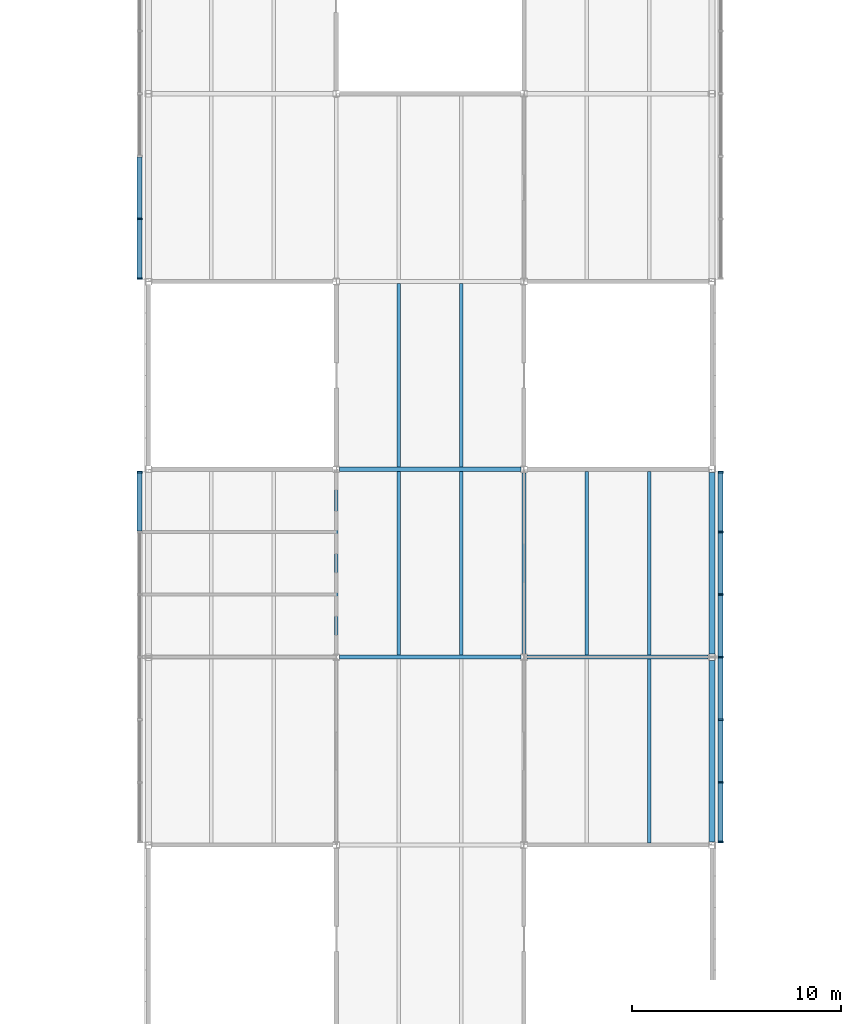
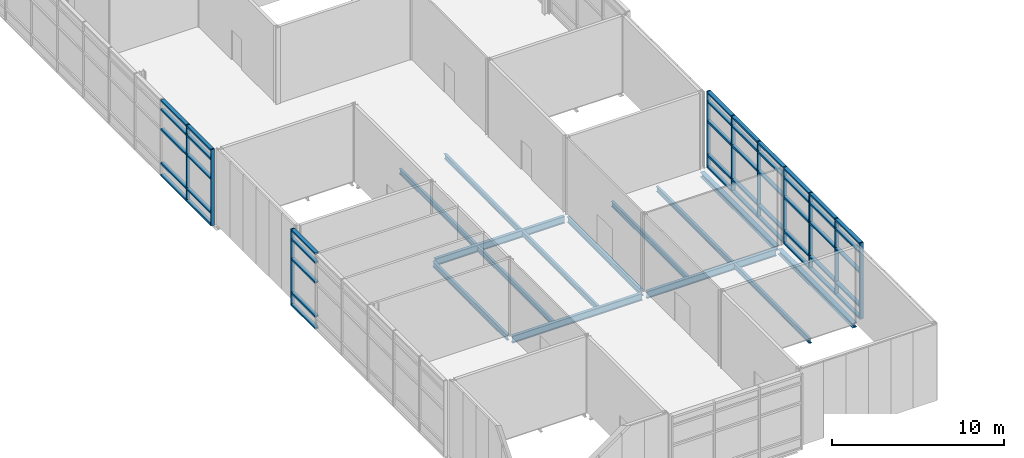
# One storey, part 10 of 46: 55 members, 14 beams, 3 elements without a shape of their own.
"""IFC4 building model written with IfcOpenShell, lengths in metres."""

from ifc_helpers import new_model, si_unit, direction, frame, origin, origin_2d, place, context, subcontext, project, spatial, rectangle, i_section, extrude, material, material_profile, profile_set, type_object, element, aggregate, save


model = new_model("IFC4")

# Units and contexts
model_context = context("Model", 3, precision=1e-05, world=origin(), true_north=direction((0.0, 1.0)))
body_context = subcontext(model_context, "Body", "Model", "MODEL_VIEW")
ifc_project = project(units=[si_unit("LENGTHUNIT", "METRE"), si_unit("AREAUNIT", "SQUARE_METRE"), si_unit("VOLUMEUNIT", "CUBIC_METRE"), si_unit("PLANEANGLEUNIT", "RADIAN"), si_unit("MASSUNIT", "GRAM", prefix="KILO")], contexts=[model_context])

# Site, building, storey
site_placement = place(None, origin())
site = spatial("IfcSite", under=ifc_project, at=site_placement, CompositionType="ELEMENT")
building_placement = place(site_placement, origin())
building = spatial("IfcBuilding", under=site, at=building_placement, Name="Azimuth Sports and Learning Centre", CompositionType="ELEMENT")
storey_placement = place(building_placement, frame((0.0, 0.0, 21.60009765625)))
storey = spatial("IfcBuildingStorey", under=building, at=storey_placement, Name="L04", CompositionType="ELEMENT", Elevation=21.60009765625)

# Beams
ifc_material_1 = material(Name="Steel S355", Category="steel")
ifc_material_profile_1 = material_profile(ifc_material_1, i_section(OverallWidth=0.179931640625, OverallDepth=0.39990234375, WebThickness=0.008544921875, FlangeThickness=0.013427734375, FilletRadius=0.02099609375, at=origin_2d()), Name="IPE 400")
ifc_profile_set_1 = profile_set([ifc_material_profile_1], Name="Steel S355")
beam_type_1 = type_object("IfcBeamType", Name="Beam IPE 400", PredefinedType="BEAM", material=ifc_profile_set_1)
for number, where, z_axis, x_axis, name in (
    (1, (81.0, 18.179931640625, -0.35009765625), (0.0, 1.0, 0.0), (-1.0, 0.0, 0.0), "Beam L04 ST 30"),
    (2, (90.0, 18.179931640625, -0.35009765625), (0.0, 1.0, 0.0), (-1.0, 0.0, 0.0), "Beam L04 ST 36"),
):
    element("IfcBeam", number, at=place(storey_placement, frame(where, z_axis=z_axis, x_axis=x_axis)), inside=storey, type_object=beam_type_1, Name=name, PredefinedType="BEAM", context=body_context, shape_type="SweptSolid", body=[
        extrude(i_section(OverallWidth=0.179931640625, OverallDepth=0.39990234375, WebThickness=0.008544921875, FlangeThickness=0.013427734375, FilletRadius=0.02099609375, at=origin_2d()), origin(), (0.0, 0.0, 1.0), 8.64013671875),
    ])
ifc_material_2 = material(Name="Steel S355", Category="steel")
ifc_material_profile_2 = material_profile(ifc_material_2, i_section(OverallWidth=0.199951171875, OverallDepth=0.5, WebThickness=0.01025390625, FlangeThickness=0.01611328125, FilletRadius=0.02099609375, at=origin_2d()), Name="IPE 500")
ifc_profile_set_2 = profile_set([ifc_material_profile_2], Name="Steel S355")
beam_type_2 = type_object("IfcBeamType", Name="Beam IPE 500", PredefinedType="BEAM", material=ifc_profile_set_2)
beam_1_placement = place(storey_placement, frame((81.14990234375, 18.0, -0.400146484375), z_axis=(1.0, 0.0, 0.0), x_axis=(0.0, 1.0, 0.0)))
element("IfcBeam", 3, at=beam_1_placement, inside=storey, type_object=beam_type_2, Name="Beam L04 ST 4", PredefinedType="BEAM", context=body_context, shape_type="SweptSolid", body=[
    extrude(i_section(OverallWidth=0.199951171875, OverallDepth=0.5, WebThickness=0.01025390625, FlangeThickness=0.01611328125, FilletRadius=0.02099609375, at=origin_2d()), origin(), (0.0, 0.0, 1.0), 8.7001953125),
])
beam_2_placement = place(storey_placement, frame((90.14990234375, 18.0, -0.400146484375), z_axis=(1.0, 0.0, 0.0), x_axis=(0.0, 1.0, 0.0)))
element("IfcBeam", 4, at=beam_2_placement, inside=storey, type_object=beam_type_2, Name="Beam L04 ST 5", PredefinedType="BEAM", context=body_context, shape_type="SweptSolid", body=[
    extrude(i_section(OverallWidth=0.199951171875, OverallDepth=0.5, WebThickness=0.01025390625, FlangeThickness=0.01611328125, FilletRadius=0.02099609375, at=origin_2d()), origin(), (0.0, 0.0, 1.0), 8.670166015625),
])
beam_3_placement = place(storey_placement, frame((81.14990234375, 27.0, -0.400146484375), z_axis=(1.0, 0.0, 0.0), x_axis=(0.0, 1.0, 0.0)))
element("IfcBeam", 5, at=beam_3_placement, inside=storey, type_object=beam_type_2, Name="Beam L04 ST 6", PredefinedType="BEAM", context=body_context, shape_type="SweptSolid", body=[
    extrude(i_section(OverallWidth=0.199951171875, OverallDepth=0.5, WebThickness=0.01025390625, FlangeThickness=0.01611328125, FilletRadius=0.02099609375, at=origin_2d()), origin(), (0.0, 0.0, 1.0), 8.7001953125),
])
ifc_material_3 = material(Name="Steel S355", Category="steel")
ifc_material_profile_3 = material_profile(ifc_material_3, i_section(OverallWidth=0.300048828125, OverallDepth=0.330078125, WebThickness=0.009521484375, FlangeThickness=0.0166015625, FilletRadius=0.027099609375, at=origin_2d()), Name="HEA 340")
ifc_profile_set_3 = profile_set([ifc_material_profile_3], Name="Steel S355")
beam_type_3 = type_object("IfcBeamType", Name="Edge beam HEA 340", PredefinedType="SPANDREL", material=ifc_profile_set_3)
for number, where, z_axis, x_axis, name in (
    (6, (99.0, 9.14990234375, -0.315185546875), (0.0, 1.0, 0.0), (-1.0, 0.0, 0.0), "Edge beam L04 ST 41"),
    (7, (99.0, 18.14990234375, -0.315185546875), (0.0, 1.0, 0.0), (-1.0, 0.0, 0.0), "Edge beam L04 ST 42"),
):
    element("IfcBeam", number, at=place(storey_placement, frame(where, z_axis=z_axis, x_axis=x_axis)), inside=storey, type_object=beam_type_3, Name=name, PredefinedType="SPANDREL", context=body_context, shape_type="SweptSolid", body=[
        extrude(i_section(OverallWidth=0.300048828125, OverallDepth=0.330078125, WebThickness=0.009521484375, FlangeThickness=0.0166015625, FilletRadius=0.027099609375, at=origin_2d()), origin(), (0.0, 0.0, 1.0), 8.7001953125),
    ])
ifc_material_4 = material(Name="Steel S355", Category="steel")
ifc_material_profile_4 = material_profile(ifc_material_4, i_section(OverallWidth=0.169921875, OverallDepth=0.360107421875, WebThickness=0.008056640625, FlangeThickness=0.0126953125, FilletRadius=0.01806640625, at=origin_2d()), Name="IPE 360")
ifc_profile_set_4 = profile_set([ifc_material_profile_4], Name="Steel S355")
beam_type_4 = type_object("IfcBeamType", Name="Joist IPE 360", PredefinedType="JOIST", material=ifc_profile_set_4)
for number, where, z_axis, x_axis, name in (
    (8, (84.0, 18.10009765625, -0.330078125), (0.0, 1.0, 0.0), (-1.0, 0.0, 0.0), "Joist L04 ST 66"),
    (9, (84.0, 27.10009765625, -0.330078125), (0.0, 1.0, 0.0), (-1.0, 0.0, 0.0), "Joist L04 ST 67"),
    (10, (87.0, 18.10009765625, -0.330078125), (0.0, 1.0, 0.0), (-1.0, 0.0, 0.0), "Joist L04 ST 72"),
    (11, (87.0, 27.10009765625, -0.330078125), (0.0, 1.0, 0.0), (-1.0, 0.0, 0.0), "Joist L04 ST 73"),
    (12, (93.0, 18.10009765625, -0.330078125), (0.0, 1.0, 0.0), (-1.0, 0.0, 0.0), "Joist L04 ST 77"),
    (13, (96.0, 9.10009765625, -0.330078125), (0.0, 1.0, 0.0), (-1.0, 0.0, 0.0), "Joist L04 ST 84"),
    (14, (96.0, 18.10009765625, -0.330078125), (0.0, 1.0, 0.0), (-1.0, 0.0, 0.0), "Joist L04 ST 85"),
):
    element("IfcBeam", number, at=place(storey_placement, frame(where, z_axis=z_axis, x_axis=x_axis)), inside=storey, type_object=beam_type_4, Name=name, PredefinedType="JOIST", context=body_context, shape_type="SweptSolid", body=[
        extrude(i_section(OverallWidth=0.169921875, OverallDepth=0.360107421875, WebThickness=0.008056640625, FlangeThickness=0.0126953125, FilletRadius=0.01806640625, at=origin_2d()), origin(), (0.0, 0.0, 1.0), 8.7998046875),
    ])

# Curtain wall, members
ifc_material_5 = material(Name="Aluminium and glass", Category="aluminium")
curtain_wall_type = type_object("IfcCurtainWallType", Name="Curtain wall podium stem 240", PredefinedType="NOTDEFINED", material=ifc_material_5)
curtain_wall_1_placement = place(storey_placement, origin())
curtain_wall_1 = element("IfcCurtainWall", 15, at=curtain_wall_1_placement, inside=storey, type_object=curtain_wall_type, Name="Curtain wall CW04-003", PredefinedType="NOTDEFINED")
ifc_material_6 = material(Name="Aluminium", Category="aluminium")
ifc_material_profile_5 = material_profile(ifc_material_6, rectangle(XDim=0.239990234375, YDim=0.080078125, at=origin_2d()), Name="Mullion 80x240")
ifc_profile_set_5 = profile_set([ifc_material_profile_5], Name="Aluminium")
member_type_1 = type_object("IfcMemberType", Name="Mullion 80x240", PredefinedType="MULLION", material=ifc_profile_set_5)
member_1_placement = place(storey_placement, frame((71.580078125, 39.0, 0.0), z_axis=(0.0, 0.0, 1.0), x_axis=(1.0, 0.0, 0.0)))
member_1 = element("IfcMember", 16, at=member_1_placement, type_object=member_type_1, Name="CW04-003 mullion 18", PredefinedType="MULLION", context=body_context, shape_type="SweptSolid", body=[
    extrude(rectangle(XDim=0.239990234375, YDim=0.080078125, at=origin_2d()), origin(), (0.0, 0.0, 1.0), 5.39990234375),
])
member_2_placement = place(storey_placement, frame((71.580078125, 36.139892578125, 0.0), z_axis=(0.0, 0.0, 1.0), x_axis=(1.0, 0.0, 0.0)))
member_2 = element("IfcMember", 17, at=member_2_placement, type_object=member_type_1, Name="CW04-003 mullion 19", PredefinedType="MULLION", context=body_context, shape_type="SweptSolid", body=[
    extrude(rectangle(XDim=0.239990234375, YDim=0.080078125, at=origin_2d()), origin(), (0.0, 0.0, 1.0), 5.39990234375),
])

# Curtain wall, member
curtain_wall_2_placement = place(storey_placement, origin())
curtain_wall_2 = element("IfcCurtainWall", 18, at=curtain_wall_2_placement, inside=storey, type_object=curtain_wall_type, Name="Curtain wall CW04-004", PredefinedType="NOTDEFINED")
member_3_placement = place(storey_placement, frame((71.580078125, 26.860107421875, 0.0), z_axis=(0.0, 0.0, 1.0), x_axis=(1.0, 0.0, 0.0)))
member_3 = element("IfcMember", 19, at=member_3_placement, type_object=member_type_1, Name="CW04-004 mullion 1", PredefinedType="MULLION", context=body_context, shape_type="SweptSolid", body=[
    extrude(rectangle(XDim=0.239990234375, YDim=0.080078125, at=origin_2d()), origin(), (0.0, 0.0, 1.0), 5.39990234375),
])

# Curtain wall, members
curtain_wall_3_placement = place(storey_placement, origin())
curtain_wall_3 = element("IfcCurtainWall", 20, at=curtain_wall_3_placement, inside=storey, type_object=curtain_wall_type, Name="Curtain wall CW04-006", PredefinedType="NOTDEFINED")
member_4_placement = place(storey_placement, frame((99.419921875, 9.139892578125, 0.0), z_axis=(0.0, 0.0, 1.0), x_axis=(-1.0, 0.0, 0.0)))
member_4 = element("IfcMember", 21, at=member_4_placement, type_object=member_type_1, Name="CW04-006 mullion 1", PredefinedType="MULLION", context=body_context, shape_type="SweptSolid", body=[
    extrude(rectangle(XDim=0.239990234375, YDim=0.080078125, at=origin_2d()), origin(), (0.0, 0.0, 1.0), 5.39990234375),
])
member_5_placement = place(storey_placement, frame((99.419921875, 12.0, 0.0), z_axis=(0.0, 0.0, 1.0), x_axis=(-1.0, 0.0, 0.0)))
member_5 = element("IfcMember", 22, at=member_5_placement, type_object=member_type_1, Name="CW04-006 mullion 2", PredefinedType="MULLION", context=body_context, shape_type="SweptSolid", body=[
    extrude(rectangle(XDim=0.239990234375, YDim=0.080078125, at=origin_2d()), origin(), (0.0, 0.0, 1.0), 5.39990234375),
])
member_6_placement = place(storey_placement, frame((99.419921875, 15.0, 0.0), z_axis=(0.0, 0.0, 1.0), x_axis=(-1.0, 0.0, 0.0)))
member_6 = element("IfcMember", 23, at=member_6_placement, type_object=member_type_1, Name="CW04-006 mullion 3", PredefinedType="MULLION", context=body_context, shape_type="SweptSolid", body=[
    extrude(rectangle(XDim=0.239990234375, YDim=0.080078125, at=origin_2d()), origin(), (0.0, 0.0, 1.0), 5.39990234375),
])
member_7_placement = place(storey_placement, frame((99.419921875, 18.0, 0.0), z_axis=(0.0, 0.0, 1.0), x_axis=(-1.0, 0.0, 0.0)))
member_7 = element("IfcMember", 24, at=member_7_placement, type_object=member_type_1, Name="CW04-006 mullion 4", PredefinedType="MULLION", context=body_context, shape_type="SweptSolid", body=[
    extrude(rectangle(XDim=0.239990234375, YDim=0.080078125, at=origin_2d()), origin(), (0.0, 0.0, 1.0), 5.39990234375),
])
member_8_placement = place(storey_placement, frame((99.419921875, 21.0, 0.0), z_axis=(0.0, 0.0, 1.0), x_axis=(-1.0, 0.0, 0.0)))
member_8 = element("IfcMember", 25, at=member_8_placement, type_object=member_type_1, Name="CW04-006 mullion 5", PredefinedType="MULLION", context=body_context, shape_type="SweptSolid", body=[
    extrude(rectangle(XDim=0.239990234375, YDim=0.080078125, at=origin_2d()), origin(), (0.0, 0.0, 1.0), 5.39990234375),
])
member_9_placement = place(storey_placement, frame((99.419921875, 24.0, 0.0), z_axis=(0.0, 0.0, 1.0), x_axis=(-1.0, 0.0, 0.0)))
member_9 = element("IfcMember", 26, at=member_9_placement, type_object=member_type_1, Name="CW04-006 mullion 6", PredefinedType="MULLION", context=body_context, shape_type="SweptSolid", body=[
    extrude(rectangle(XDim=0.239990234375, YDim=0.080078125, at=origin_2d()), origin(), (0.0, 0.0, 1.0), 5.39990234375),
])
member_10_placement = place(storey_placement, frame((99.419921875, 26.860107421875, 0.0), z_axis=(0.0, 0.0, 1.0), x_axis=(-1.0, 0.0, 0.0)))
member_10 = element("IfcMember", 27, at=member_10_placement, type_object=member_type_1, Name="CW04-006 mullion 7", PredefinedType="MULLION", context=body_context, shape_type="SweptSolid", body=[
    extrude(rectangle(XDim=0.239990234375, YDim=0.080078125, at=origin_2d()), origin(), (0.0, 0.0, 1.0), 5.39990234375),
])

# Member
ifc_material_7 = material(Name="Aluminium", Category="aluminium")
ifc_material_profile_6 = material_profile(ifc_material_7, rectangle(XDim=0.239990234375, YDim=0.1201171875, at=origin_2d()), Name="Transom 120x240")
ifc_profile_set_6 = profile_set([ifc_material_profile_6], Name="Aluminium")
member_type_2 = type_object("IfcMemberType", Name="Transom 120x240", PredefinedType="USERDEFINED", material=ifc_profile_set_6)
member_11_placement = place(storey_placement, frame((71.580078125, 41.9599609375, 0.059814453125), z_axis=(0.0, -1.0, 0.0), x_axis=(1.0, 0.0, 0.0)))
member_11 = element("IfcMember", 28, at=member_11_placement, type_object=member_type_2, Name="CW04-003 transom 17.1", ObjectType="TRANSOM", PredefinedType="USERDEFINED", context=body_context, shape_type="SweptSolid", body=[
    extrude(rectangle(XDim=0.239990234375, YDim=0.1201171875, at=origin_2d()), origin(), (0.0, 0.0, 1.0), 2.919921875),
])

member_12_placement = place(storey_placement, frame((71.580078125, 41.9599609375, 0.89990234375), z_axis=(0.0, -1.0, 0.0), x_axis=(1.0, 0.0, 0.0)))
member_12 = element("IfcMember", 29, at=member_12_placement, type_object=member_type_2, Name="CW04-003 transom 17.2", ObjectType="TRANSOM", PredefinedType="USERDEFINED", context=body_context, shape_type="SweptSolid", body=[
    extrude(rectangle(XDim=0.239990234375, YDim=0.1201171875, at=origin_2d()), origin(), (0.0, 0.0, 1.0), 2.919921875),
])

member_13_placement = place(storey_placement, frame((71.580078125, 41.9599609375, 3.2998046875), z_axis=(0.0, -1.0, 0.0), x_axis=(1.0, 0.0, 0.0)))
member_13 = element("IfcMember", 30, at=member_13_placement, type_object=member_type_2, Name="CW04-003 transom 17.3", ObjectType="TRANSOM", PredefinedType="USERDEFINED", context=body_context, shape_type="SweptSolid", body=[
    extrude(rectangle(XDim=0.239990234375, YDim=0.1201171875, at=origin_2d()), origin(), (0.0, 0.0, 1.0), 2.919921875),
])

member_14_placement = place(storey_placement, frame((71.580078125, 41.9599609375, 4.699951171875), z_axis=(0.0, -1.0, 0.0), x_axis=(1.0, 0.0, 0.0)))
member_14 = element("IfcMember", 31, at=member_14_placement, type_object=member_type_2, Name="CW04-003 transom 17.4", ObjectType="TRANSOM", PredefinedType="USERDEFINED", context=body_context, shape_type="SweptSolid", body=[
    extrude(rectangle(XDim=0.239990234375, YDim=0.1201171875, at=origin_2d()), origin(), (0.0, 0.0, 1.0), 2.919921875),
])

member_15_placement = place(storey_placement, frame((71.580078125, 41.9599609375, 5.33984375), z_axis=(0.0, -1.0, 0.0), x_axis=(1.0, 0.0, 0.0)))
member_15 = element("IfcMember", 32, at=member_15_placement, type_object=member_type_2, Name="CW04-003 transom 17.5", ObjectType="TRANSOM", PredefinedType="USERDEFINED", context=body_context, shape_type="SweptSolid", body=[
    extrude(rectangle(XDim=0.239990234375, YDim=0.1201171875, at=origin_2d()), origin(), (0.0, 0.0, 1.0), 2.919921875),
])

member_16_placement = place(storey_placement, frame((71.580078125, 38.9599609375, 0.059814453125), z_axis=(0.0, -1.0, 0.0), x_axis=(1.0, 0.0, 0.0)))
member_16 = element("IfcMember", 33, at=member_16_placement, type_object=member_type_2, Name="CW04-003 transom 18.1", ObjectType="TRANSOM", PredefinedType="USERDEFINED", context=body_context, shape_type="SweptSolid", body=[
    extrude(rectangle(XDim=0.239990234375, YDim=0.1201171875, at=origin_2d()), origin(), (0.0, 0.0, 1.0), 2.780029296875),
])

member_17_placement = place(storey_placement, frame((71.580078125, 38.9599609375, 0.89990234375), z_axis=(0.0, -1.0, 0.0), x_axis=(1.0, 0.0, 0.0)))
member_17 = element("IfcMember", 34, at=member_17_placement, type_object=member_type_2, Name="CW04-003 transom 18.2", ObjectType="TRANSOM", PredefinedType="USERDEFINED", context=body_context, shape_type="SweptSolid", body=[
    extrude(rectangle(XDim=0.239990234375, YDim=0.1201171875, at=origin_2d()), origin(), (0.0, 0.0, 1.0), 2.780029296875),
])

member_18_placement = place(storey_placement, frame((71.580078125, 38.9599609375, 3.2998046875), z_axis=(0.0, -1.0, 0.0), x_axis=(1.0, 0.0, 0.0)))
member_18 = element("IfcMember", 35, at=member_18_placement, type_object=member_type_2, Name="CW04-003 transom 18.3", ObjectType="TRANSOM", PredefinedType="USERDEFINED", context=body_context, shape_type="SweptSolid", body=[
    extrude(rectangle(XDim=0.239990234375, YDim=0.1201171875, at=origin_2d()), origin(), (0.0, 0.0, 1.0), 2.780029296875),
])

member_19_placement = place(storey_placement, frame((71.580078125, 38.9599609375, 4.699951171875), z_axis=(0.0, -1.0, 0.0), x_axis=(1.0, 0.0, 0.0)))
member_19 = element("IfcMember", 36, at=member_19_placement, type_object=member_type_2, Name="CW04-003 transom 18.4", ObjectType="TRANSOM", PredefinedType="USERDEFINED", context=body_context, shape_type="SweptSolid", body=[
    extrude(rectangle(XDim=0.239990234375, YDim=0.1201171875, at=origin_2d()), origin(), (0.0, 0.0, 1.0), 2.780029296875),
])

member_20_placement = place(storey_placement, frame((71.580078125, 38.9599609375, 5.33984375), z_axis=(0.0, -1.0, 0.0), x_axis=(1.0, 0.0, 0.0)))
member_20 = element("IfcMember", 37, at=member_20_placement, type_object=member_type_2, Name="CW04-003 transom 18.5", ObjectType="TRANSOM", PredefinedType="USERDEFINED", context=body_context, shape_type="SweptSolid", body=[
    extrude(rectangle(XDim=0.239990234375, YDim=0.1201171875, at=origin_2d()), origin(), (0.0, 0.0, 1.0), 2.780029296875),
])

aggregate(curtain_wall_1, [member_1, member_2, member_11, member_12, member_13, member_14, member_15, member_16, member_17, member_18, member_19, member_20])

member_21_placement = place(storey_placement, frame((71.580078125, 26.820068359375, 0.059814453125), z_axis=(0.0, -1.0, 0.0), x_axis=(1.0, 0.0, 0.0)))
member_21 = element("IfcMember", 38, at=member_21_placement, type_object=member_type_2, Name="CW04-004 transom 1.1", ObjectType="TRANSOM", PredefinedType="USERDEFINED", context=body_context, shape_type="SweptSolid", body=[
    extrude(rectangle(XDim=0.239990234375, YDim=0.1201171875, at=origin_2d()), origin(), (0.0, 0.0, 1.0), 2.780029296875),
])

member_22_placement = place(storey_placement, frame((71.580078125, 26.820068359375, 0.89990234375), z_axis=(0.0, -1.0, 0.0), x_axis=(1.0, 0.0, 0.0)))
member_22 = element("IfcMember", 39, at=member_22_placement, type_object=member_type_2, Name="CW04-004 transom 1.2", ObjectType="TRANSOM", PredefinedType="USERDEFINED", context=body_context, shape_type="SweptSolid", body=[
    extrude(rectangle(XDim=0.239990234375, YDim=0.1201171875, at=origin_2d()), origin(), (0.0, 0.0, 1.0), 2.780029296875),
])

member_23_placement = place(storey_placement, frame((71.580078125, 26.820068359375, 3.2998046875), z_axis=(0.0, -1.0, 0.0), x_axis=(1.0, 0.0, 0.0)))
member_23 = element("IfcMember", 40, at=member_23_placement, type_object=member_type_2, Name="CW04-004 transom 1.3", ObjectType="TRANSOM", PredefinedType="USERDEFINED", context=body_context, shape_type="SweptSolid", body=[
    extrude(rectangle(XDim=0.239990234375, YDim=0.1201171875, at=origin_2d()), origin(), (0.0, 0.0, 1.0), 2.780029296875),
])

member_24_placement = place(storey_placement, frame((71.580078125, 26.820068359375, 4.699951171875), z_axis=(0.0, -1.0, 0.0), x_axis=(1.0, 0.0, 0.0)))
member_24 = element("IfcMember", 41, at=member_24_placement, type_object=member_type_2, Name="CW04-004 transom 1.4", ObjectType="TRANSOM", PredefinedType="USERDEFINED", context=body_context, shape_type="SweptSolid", body=[
    extrude(rectangle(XDim=0.239990234375, YDim=0.1201171875, at=origin_2d()), origin(), (0.0, 0.0, 1.0), 2.780029296875),
])

member_25_placement = place(storey_placement, frame((71.580078125, 26.820068359375, 5.33984375), z_axis=(0.0, -1.0, 0.0), x_axis=(1.0, 0.0, 0.0)))
member_25 = element("IfcMember", 42, at=member_25_placement, type_object=member_type_2, Name="CW04-004 transom 1.5", ObjectType="TRANSOM", PredefinedType="USERDEFINED", context=body_context, shape_type="SweptSolid", body=[
    extrude(rectangle(XDim=0.239990234375, YDim=0.1201171875, at=origin_2d()), origin(), (0.0, 0.0, 1.0), 2.780029296875),
])

aggregate(curtain_wall_2, [member_3, member_21, member_22, member_23, member_24, member_25])

member_26_placement = place(storey_placement, frame((99.419921875, 9.179931640625, 0.059814453125), z_axis=(0.0, 1.0, 0.0), x_axis=(-1.0, 0.0, 0.0)))
member_26 = element("IfcMember", 43, at=member_26_placement, type_object=member_type_2, Name="CW04-006 transom 1.1", ObjectType="TRANSOM", PredefinedType="USERDEFINED", context=body_context, shape_type="SweptSolid", body=[
    extrude(rectangle(XDim=0.239990234375, YDim=0.1201171875, at=origin_2d()), origin(), (0.0, 0.0, 1.0), 2.780029296875),
])

member_27_placement = place(storey_placement, frame((99.419921875, 9.179931640625, 0.89990234375), z_axis=(0.0, 1.0, 0.0), x_axis=(-1.0, 0.0, 0.0)))
member_27 = element("IfcMember", 44, at=member_27_placement, type_object=member_type_2, Name="CW04-006 transom 1.2", ObjectType="TRANSOM", PredefinedType="USERDEFINED", context=body_context, shape_type="SweptSolid", body=[
    extrude(rectangle(XDim=0.239990234375, YDim=0.1201171875, at=origin_2d()), origin(), (0.0, 0.0, 1.0), 2.780029296875),
])

member_28_placement = place(storey_placement, frame((99.419921875, 9.179931640625, 3.2998046875), z_axis=(0.0, 1.0, 0.0), x_axis=(-1.0, 0.0, 0.0)))
member_28 = element("IfcMember", 45, at=member_28_placement, type_object=member_type_2, Name="CW04-006 transom 1.3", ObjectType="TRANSOM", PredefinedType="USERDEFINED", context=body_context, shape_type="SweptSolid", body=[
    extrude(rectangle(XDim=0.239990234375, YDim=0.1201171875, at=origin_2d()), origin(), (0.0, 0.0, 1.0), 2.780029296875),
])

member_29_placement = place(storey_placement, frame((99.419921875, 9.179931640625, 4.699951171875), z_axis=(0.0, 1.0, 0.0), x_axis=(-1.0, 0.0, 0.0)))
member_29 = element("IfcMember", 46, at=member_29_placement, type_object=member_type_2, Name="CW04-006 transom 1.4", ObjectType="TRANSOM", PredefinedType="USERDEFINED", context=body_context, shape_type="SweptSolid", body=[
    extrude(rectangle(XDim=0.239990234375, YDim=0.1201171875, at=origin_2d()), origin(), (0.0, 0.0, 1.0), 2.780029296875),
])

member_30_placement = place(storey_placement, frame((99.419921875, 9.179931640625, 5.33984375), z_axis=(0.0, 1.0, 0.0), x_axis=(-1.0, 0.0, 0.0)))
member_30 = element("IfcMember", 47, at=member_30_placement, type_object=member_type_2, Name="CW04-006 transom 1.5", ObjectType="TRANSOM", PredefinedType="USERDEFINED", context=body_context, shape_type="SweptSolid", body=[
    extrude(rectangle(XDim=0.239990234375, YDim=0.1201171875, at=origin_2d()), origin(), (0.0, 0.0, 1.0), 2.780029296875),
])

member_31_placement = place(storey_placement, frame((99.419921875, 12.0400390625, 0.059814453125), z_axis=(0.0, 1.0, 0.0), x_axis=(-1.0, 0.0, 0.0)))
member_31 = element("IfcMember", 48, at=member_31_placement, type_object=member_type_2, Name="CW04-006 transom 2.1", ObjectType="TRANSOM", PredefinedType="USERDEFINED", context=body_context, shape_type="SweptSolid", body=[
    extrude(rectangle(XDim=0.239990234375, YDim=0.1201171875, at=origin_2d()), origin(), (0.0, 0.0, 1.0), 2.919921875),
])

member_32_placement = place(storey_placement, frame((99.419921875, 12.0400390625, 0.89990234375), z_axis=(0.0, 1.0, 0.0), x_axis=(-1.0, 0.0, 0.0)))
member_32 = element("IfcMember", 49, at=member_32_placement, type_object=member_type_2, Name="CW04-006 transom 2.2", ObjectType="TRANSOM", PredefinedType="USERDEFINED", context=body_context, shape_type="SweptSolid", body=[
    extrude(rectangle(XDim=0.239990234375, YDim=0.1201171875, at=origin_2d()), origin(), (0.0, 0.0, 1.0), 2.919921875),
])

member_33_placement = place(storey_placement, frame((99.419921875, 12.0400390625, 3.2998046875), z_axis=(0.0, 1.0, 0.0), x_axis=(-1.0, 0.0, 0.0)))
member_33 = element("IfcMember", 50, at=member_33_placement, type_object=member_type_2, Name="CW04-006 transom 2.3", ObjectType="TRANSOM", PredefinedType="USERDEFINED", context=body_context, shape_type="SweptSolid", body=[
    extrude(rectangle(XDim=0.239990234375, YDim=0.1201171875, at=origin_2d()), origin(), (0.0, 0.0, 1.0), 2.919921875),
])

member_34_placement = place(storey_placement, frame((99.419921875, 12.0400390625, 4.699951171875), z_axis=(0.0, 1.0, 0.0), x_axis=(-1.0, 0.0, 0.0)))
member_34 = element("IfcMember", 51, at=member_34_placement, type_object=member_type_2, Name="CW04-006 transom 2.4", ObjectType="TRANSOM", PredefinedType="USERDEFINED", context=body_context, shape_type="SweptSolid", body=[
    extrude(rectangle(XDim=0.239990234375, YDim=0.1201171875, at=origin_2d()), origin(), (0.0, 0.0, 1.0), 2.919921875),
])

member_35_placement = place(storey_placement, frame((99.419921875, 12.0400390625, 5.33984375), z_axis=(0.0, 1.0, 0.0), x_axis=(-1.0, 0.0, 0.0)))
member_35 = element("IfcMember", 52, at=member_35_placement, type_object=member_type_2, Name="CW04-006 transom 2.5", ObjectType="TRANSOM", PredefinedType="USERDEFINED", context=body_context, shape_type="SweptSolid", body=[
    extrude(rectangle(XDim=0.239990234375, YDim=0.1201171875, at=origin_2d()), origin(), (0.0, 0.0, 1.0), 2.919921875),
])

member_36_placement = place(storey_placement, frame((99.419921875, 15.0400390625, 0.059814453125), z_axis=(0.0, 1.0, 0.0), x_axis=(-1.0, 0.0, 0.0)))
member_36 = element("IfcMember", 53, at=member_36_placement, type_object=member_type_2, Name="CW04-006 transom 3.1", ObjectType="TRANSOM", PredefinedType="USERDEFINED", context=body_context, shape_type="SweptSolid", body=[
    extrude(rectangle(XDim=0.239990234375, YDim=0.1201171875, at=origin_2d()), origin(), (0.0, 0.0, 1.0), 2.919921875),
])

member_37_placement = place(storey_placement, frame((99.419921875, 15.0400390625, 0.89990234375), z_axis=(0.0, 1.0, 0.0), x_axis=(-1.0, 0.0, 0.0)))
member_37 = element("IfcMember", 54, at=member_37_placement, type_object=member_type_2, Name="CW04-006 transom 3.2", ObjectType="TRANSOM", PredefinedType="USERDEFINED", context=body_context, shape_type="SweptSolid", body=[
    extrude(rectangle(XDim=0.239990234375, YDim=0.1201171875, at=origin_2d()), origin(), (0.0, 0.0, 1.0), 2.919921875),
])

member_38_placement = place(storey_placement, frame((99.419921875, 15.0400390625, 3.2998046875), z_axis=(0.0, 1.0, 0.0), x_axis=(-1.0, 0.0, 0.0)))
member_38 = element("IfcMember", 55, at=member_38_placement, type_object=member_type_2, Name="CW04-006 transom 3.3", ObjectType="TRANSOM", PredefinedType="USERDEFINED", context=body_context, shape_type="SweptSolid", body=[
    extrude(rectangle(XDim=0.239990234375, YDim=0.1201171875, at=origin_2d()), origin(), (0.0, 0.0, 1.0), 2.919921875),
])

member_39_placement = place(storey_placement, frame((99.419921875, 15.0400390625, 4.699951171875), z_axis=(0.0, 1.0, 0.0), x_axis=(-1.0, 0.0, 0.0)))
member_39 = element("IfcMember", 56, at=member_39_placement, type_object=member_type_2, Name="CW04-006 transom 3.4", ObjectType="TRANSOM", PredefinedType="USERDEFINED", context=body_context, shape_type="SweptSolid", body=[
    extrude(rectangle(XDim=0.239990234375, YDim=0.1201171875, at=origin_2d()), origin(), (0.0, 0.0, 1.0), 2.919921875),
])

member_40_placement = place(storey_placement, frame((99.419921875, 15.0400390625, 5.33984375), z_axis=(0.0, 1.0, 0.0), x_axis=(-1.0, 0.0, 0.0)))
member_40 = element("IfcMember", 57, at=member_40_placement, type_object=member_type_2, Name="CW04-006 transom 3.5", ObjectType="TRANSOM", PredefinedType="USERDEFINED", context=body_context, shape_type="SweptSolid", body=[
    extrude(rectangle(XDim=0.239990234375, YDim=0.1201171875, at=origin_2d()), origin(), (0.0, 0.0, 1.0), 2.919921875),
])

member_41_placement = place(storey_placement, frame((99.419921875, 18.0400390625, 0.059814453125), z_axis=(0.0, 1.0, 0.0), x_axis=(-1.0, 0.0, 0.0)))
member_41 = element("IfcMember", 58, at=member_41_placement, type_object=member_type_2, Name="CW04-006 transom 4.1", ObjectType="TRANSOM", PredefinedType="USERDEFINED", context=body_context, shape_type="SweptSolid", body=[
    extrude(rectangle(XDim=0.239990234375, YDim=0.1201171875, at=origin_2d()), origin(), (0.0, 0.0, 1.0), 2.919921875),
])

member_42_placement = place(storey_placement, frame((99.419921875, 18.0400390625, 0.89990234375), z_axis=(0.0, 1.0, 0.0), x_axis=(-1.0, 0.0, 0.0)))
member_42 = element("IfcMember", 59, at=member_42_placement, type_object=member_type_2, Name="CW04-006 transom 4.2", ObjectType="TRANSOM", PredefinedType="USERDEFINED", context=body_context, shape_type="SweptSolid", body=[
    extrude(rectangle(XDim=0.239990234375, YDim=0.1201171875, at=origin_2d()), origin(), (0.0, 0.0, 1.0), 2.919921875),
])

member_43_placement = place(storey_placement, frame((99.419921875, 18.0400390625, 3.2998046875), z_axis=(0.0, 1.0, 0.0), x_axis=(-1.0, 0.0, 0.0)))
member_43 = element("IfcMember", 60, at=member_43_placement, type_object=member_type_2, Name="CW04-006 transom 4.3", ObjectType="TRANSOM", PredefinedType="USERDEFINED", context=body_context, shape_type="SweptSolid", body=[
    extrude(rectangle(XDim=0.239990234375, YDim=0.1201171875, at=origin_2d()), origin(), (0.0, 0.0, 1.0), 2.919921875),
])

member_44_placement = place(storey_placement, frame((99.419921875, 18.0400390625, 4.699951171875), z_axis=(0.0, 1.0, 0.0), x_axis=(-1.0, 0.0, 0.0)))
member_44 = element("IfcMember", 61, at=member_44_placement, type_object=member_type_2, Name="CW04-006 transom 4.4", ObjectType="TRANSOM", PredefinedType="USERDEFINED", context=body_context, shape_type="SweptSolid", body=[
    extrude(rectangle(XDim=0.239990234375, YDim=0.1201171875, at=origin_2d()), origin(), (0.0, 0.0, 1.0), 2.919921875),
])

member_45_placement = place(storey_placement, frame((99.419921875, 18.0400390625, 5.33984375), z_axis=(0.0, 1.0, 0.0), x_axis=(-1.0, 0.0, 0.0)))
member_45 = element("IfcMember", 62, at=member_45_placement, type_object=member_type_2, Name="CW04-006 transom 4.5", ObjectType="TRANSOM", PredefinedType="USERDEFINED", context=body_context, shape_type="SweptSolid", body=[
    extrude(rectangle(XDim=0.239990234375, YDim=0.1201171875, at=origin_2d()), origin(), (0.0, 0.0, 1.0), 2.919921875),
])

member_46_placement = place(storey_placement, frame((99.419921875, 21.0400390625, 0.059814453125), z_axis=(0.0, 1.0, 0.0), x_axis=(-1.0, 0.0, 0.0)))
member_46 = element("IfcMember", 63, at=member_46_placement, type_object=member_type_2, Name="CW04-006 transom 5.1", ObjectType="TRANSOM", PredefinedType="USERDEFINED", context=body_context, shape_type="SweptSolid", body=[
    extrude(rectangle(XDim=0.239990234375, YDim=0.1201171875, at=origin_2d()), origin(), (0.0, 0.0, 1.0), 2.919921875),
])

member_47_placement = place(storey_placement, frame((99.419921875, 21.0400390625, 0.89990234375), z_axis=(0.0, 1.0, 0.0), x_axis=(-1.0, 0.0, 0.0)))
member_47 = element("IfcMember", 64, at=member_47_placement, type_object=member_type_2, Name="CW04-006 transom 5.2", ObjectType="TRANSOM", PredefinedType="USERDEFINED", context=body_context, shape_type="SweptSolid", body=[
    extrude(rectangle(XDim=0.239990234375, YDim=0.1201171875, at=origin_2d()), origin(), (0.0, 0.0, 1.0), 2.919921875),
])

member_48_placement = place(storey_placement, frame((99.419921875, 21.0400390625, 3.2998046875), z_axis=(0.0, 1.0, 0.0), x_axis=(-1.0, 0.0, 0.0)))
member_48 = element("IfcMember", 65, at=member_48_placement, type_object=member_type_2, Name="CW04-006 transom 5.3", ObjectType="TRANSOM", PredefinedType="USERDEFINED", context=body_context, shape_type="SweptSolid", body=[
    extrude(rectangle(XDim=0.239990234375, YDim=0.1201171875, at=origin_2d()), origin(), (0.0, 0.0, 1.0), 2.919921875),
])

member_49_placement = place(storey_placement, frame((99.419921875, 21.0400390625, 4.699951171875), z_axis=(0.0, 1.0, 0.0), x_axis=(-1.0, 0.0, 0.0)))
member_49 = element("IfcMember", 66, at=member_49_placement, type_object=member_type_2, Name="CW04-006 transom 5.4", ObjectType="TRANSOM", PredefinedType="USERDEFINED", context=body_context, shape_type="SweptSolid", body=[
    extrude(rectangle(XDim=0.239990234375, YDim=0.1201171875, at=origin_2d()), origin(), (0.0, 0.0, 1.0), 2.919921875),
])

member_50_placement = place(storey_placement, frame((99.419921875, 21.0400390625, 5.33984375), z_axis=(0.0, 1.0, 0.0), x_axis=(-1.0, 0.0, 0.0)))
member_50 = element("IfcMember", 67, at=member_50_placement, type_object=member_type_2, Name="CW04-006 transom 5.5", ObjectType="TRANSOM", PredefinedType="USERDEFINED", context=body_context, shape_type="SweptSolid", body=[
    extrude(rectangle(XDim=0.239990234375, YDim=0.1201171875, at=origin_2d()), origin(), (0.0, 0.0, 1.0), 2.919921875),
])

member_51_placement = place(storey_placement, frame((99.419921875, 24.0400390625, 0.059814453125), z_axis=(0.0, 1.0, 0.0), x_axis=(-1.0, 0.0, 0.0)))
member_51 = element("IfcMember", 68, at=member_51_placement, type_object=member_type_2, Name="CW04-006 transom 6.1", ObjectType="TRANSOM", PredefinedType="USERDEFINED", context=body_context, shape_type="SweptSolid", body=[
    extrude(rectangle(XDim=0.239990234375, YDim=0.1201171875, at=origin_2d()), origin(), (0.0, 0.0, 1.0), 2.780029296875),
])

member_52_placement = place(storey_placement, frame((99.419921875, 24.0400390625, 0.89990234375), z_axis=(0.0, 1.0, 0.0), x_axis=(-1.0, 0.0, 0.0)))
member_52 = element("IfcMember", 69, at=member_52_placement, type_object=member_type_2, Name="CW04-006 transom 6.2", ObjectType="TRANSOM", PredefinedType="USERDEFINED", context=body_context, shape_type="SweptSolid", body=[
    extrude(rectangle(XDim=0.239990234375, YDim=0.1201171875, at=origin_2d()), origin(), (0.0, 0.0, 1.0), 2.780029296875),
])

member_53_placement = place(storey_placement, frame((99.419921875, 24.0400390625, 3.2998046875), z_axis=(0.0, 1.0, 0.0), x_axis=(-1.0, 0.0, 0.0)))
member_53 = element("IfcMember", 70, at=member_53_placement, type_object=member_type_2, Name="CW04-006 transom 6.3", ObjectType="TRANSOM", PredefinedType="USERDEFINED", context=body_context, shape_type="SweptSolid", body=[
    extrude(rectangle(XDim=0.239990234375, YDim=0.1201171875, at=origin_2d()), origin(), (0.0, 0.0, 1.0), 2.780029296875),
])

member_54_placement = place(storey_placement, frame((99.419921875, 24.0400390625, 4.699951171875), z_axis=(0.0, 1.0, 0.0), x_axis=(-1.0, 0.0, 0.0)))
member_54 = element("IfcMember", 71, at=member_54_placement, type_object=member_type_2, Name="CW04-006 transom 6.4", ObjectType="TRANSOM", PredefinedType="USERDEFINED", context=body_context, shape_type="SweptSolid", body=[
    extrude(rectangle(XDim=0.239990234375, YDim=0.1201171875, at=origin_2d()), origin(), (0.0, 0.0, 1.0), 2.780029296875),
])

member_55_placement = place(storey_placement, frame((99.419921875, 24.0400390625, 5.33984375), z_axis=(0.0, 1.0, 0.0), x_axis=(-1.0, 0.0, 0.0)))
member_55 = element("IfcMember", 72, at=member_55_placement, type_object=member_type_2, Name="CW04-006 transom 6.5", ObjectType="TRANSOM", PredefinedType="USERDEFINED", context=body_context, shape_type="SweptSolid", body=[
    extrude(rectangle(XDim=0.239990234375, YDim=0.1201171875, at=origin_2d()), origin(), (0.0, 0.0, 1.0), 2.780029296875),
])

aggregate(curtain_wall_3, [member_4, member_5, member_6, member_7, member_8, member_9, member_10, member_26, member_27, member_28, member_29, member_30, member_31, member_32, member_33, member_34, member_35, member_36, member_37, member_38, member_39, member_40, member_41, member_42, member_43, member_44, member_45, member_46, member_47, member_48, member_49, member_50, member_51, member_52, member_53, member_54, member_55])

save(model, "model.ifc")
